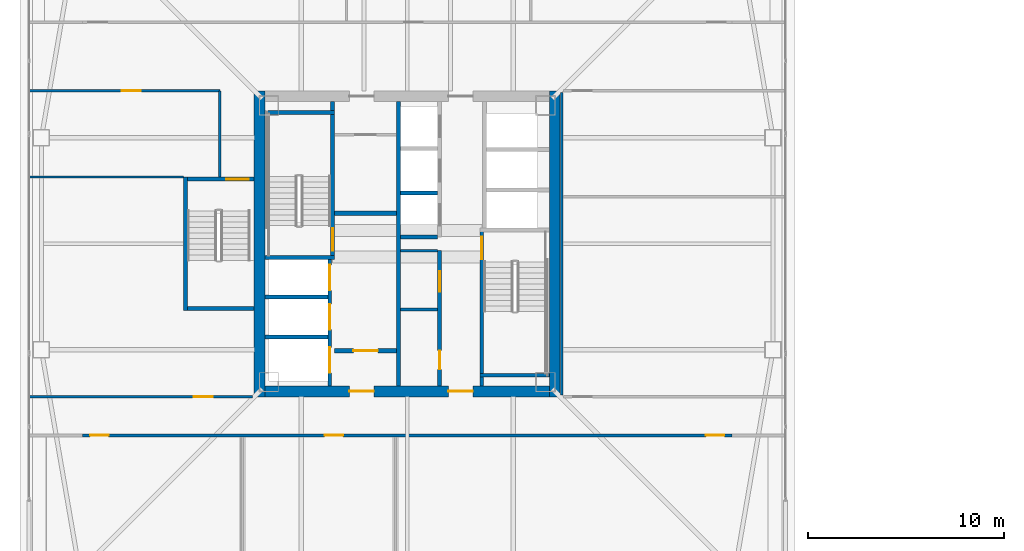
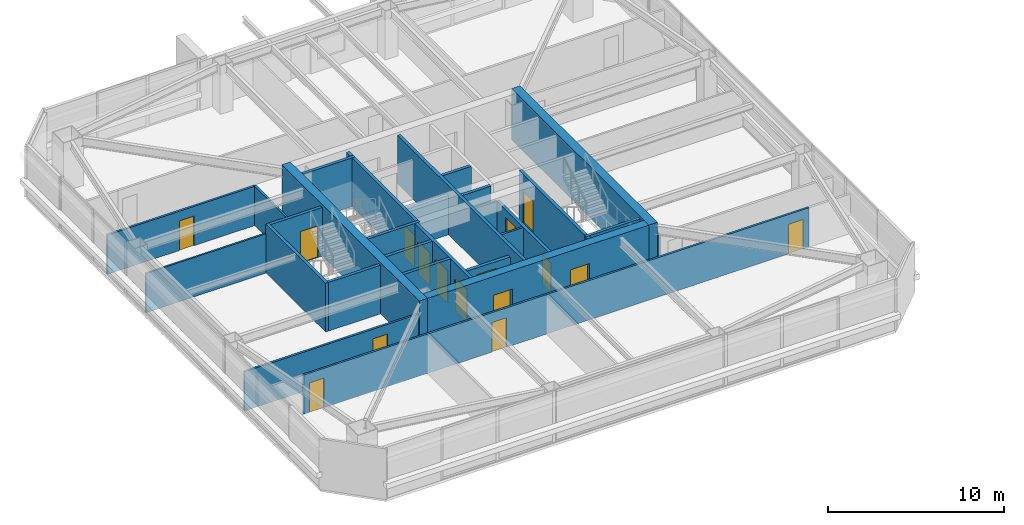
# One storey, part 34 of 44: 28 walls, 16 doors, 16 openings.
"""IFC4 building model written with IfcOpenShell, lengths in metres."""

from ifc_helpers import new_model, si_unit, direction, frame, frame_2d, origin, place, context, subcontext, project, spatial, rectangle, extrude, material, layer, layer_set, type_object, element, fill, save


model = new_model("IFC4")

# Units and contexts
model_context = context("Model", 3, precision=1e-05, world=origin(), true_north=direction((0.0, 1.0)))
body_context = subcontext(model_context, "Body", "Model", "MODEL_VIEW")
ifc_project = project(units=[si_unit("LENGTHUNIT", "METRE"), si_unit("AREAUNIT", "SQUARE_METRE"), si_unit("VOLUMEUNIT", "CUBIC_METRE"), si_unit("PLANEANGLEUNIT", "RADIAN"), si_unit("MASSUNIT", "GRAM", prefix="KILO")], contexts=[model_context])

# Site, building, storey
site_placement = place(None, origin())
site = spatial("IfcSite", under=ifc_project, at=site_placement, CompositionType="ELEMENT")
building_placement = place(site_placement, origin())
building = spatial("IfcBuilding", under=site, at=building_placement, Name="Tashvorn Skyway Center", CompositionType="ELEMENT")
storey_placement = place(building_placement, frame((0.0, 0.0, 149.89990234375)))
storey = spatial("IfcBuildingStorey", under=building, at=storey_placement, Name="L40", CompositionType="ELEMENT", Elevation=149.89990234375)

# Walls
ifc_material_1 = material(Name="Concrete C60/75", Category="concrete")
ifc_layer_1 = layer(ifc_material_1, 0.550048828125)
ifc_layer_set_1 = layer_set([ifc_layer_1], Name="Concrete C60/75")
wall_type_1 = type_object("IfcWallType", Name="WALL-CORE-550", PredefinedType="SHEAR", material=ifc_layer_set_1)
for number, where, z_axis, x_axis, name in (
    (1, (34.47509765625, 24.199951171875, 0.0), (0.0, 0.0, 1.0), (0.0, 1.0, 0.0), "Tower 1 L40 West Core Shear Wall"),
    (2, (49.52490234375, 39.800048828125, 0.0), (0.0, 0.0, 1.0), (0.0, -1.0, 0.0), "Tower 1 L40 East Core Shear Wall"),
):
    element("IfcWall", number, at=place(storey_placement, frame(where, z_axis=z_axis, x_axis=x_axis)), inside=storey, type_object=wall_type_1, Name=name, PredefinedType="SHEAR", context=body_context, shape_type="SweptSolid", body=[
        extrude(rectangle(XDim=15.60009765625, YDim=0.550048828125, at=frame_2d((7.800048828125, 0.0))), origin(), (0.0, 0.0, 1.0), 3.550048828125),
    ])

# Wall, openings, doors
wall_1_placement = place(storey_placement, frame((49.25, 24.47509765625, 0.0), z_axis=(0.0, 0.0, 1.0), x_axis=(-1.0, 0.0, 0.0)))
wall_1 = element("IfcWall", 3, at=wall_1_placement, inside=storey, type_object=wall_type_1, Name="Tower 1 L40 South Core Shear Wall", PredefinedType="SHEAR", context=body_context, shape_type="SweptSolid", body=[
    extrude(rectangle(XDim=14.5, YDim=0.550048828125, at=frame_2d((7.25, 0.0))), origin(), (0.0, 0.0, 1.0), 3.550048828125),
])
opening_1_placement = place(wall_1_placement, frame((8.949951171875, 0.0, 0.0)))
opening_1 = element("IfcOpeningElement", 4, at=opening_1_placement, cuts=wall_1, Name="Opening D-FFL-1250", PredefinedType="OPENING", context=body_context, shape_type="SweptSolid", body=[
    extrude(rectangle(XDim=1.25, YDim=2.25, at=frame_2d((0.625, 1.125))), frame((0.0, 0.284912109375, 0.0), z_axis=(0.0, -1.0, 0.0), x_axis=(1.0, 0.0, 0.0)), (0.0, 0.0, 1.0), 0.570068359375),
])
opening_2_placement = place(wall_1_placement, frame((3.89990234375, 0.0, 0.0)))
opening_2 = element("IfcOpeningElement", 5, at=opening_2_placement, cuts=wall_1, Name="Opening D-FFL-1250", PredefinedType="OPENING", context=body_context, shape_type="SweptSolid", body=[
    extrude(rectangle(XDim=1.25, YDim=2.25, at=frame_2d((0.625, 1.125))), frame((0.0, 0.284912109375, 0.0), z_axis=(0.0, -1.0, 0.0), x_axis=(1.0, 0.0, 0.0)), (0.0, 0.0, 1.0), 0.570068359375),
])
ifc_material_2 = material(Name="Hollow galvanized steel fire door assembly", Category="steel")
door_type_1 = type_object("IfcDoorType", Name="DOOR-FFL-1250", OperationType="NOTDEFINED", PredefinedType="DOOR", material=ifc_material_2)
door_1_placement = place(opening_1_placement, origin())
door_1 = element("IfcDoor", 6, at=door_1_placement, inside=storey, type_object=door_type_1, Name="Tower 1 L40 Core South Firefighting Exit Door", OperationType="SINGLE_SWING_LEFT", OverallHeight=2.25, OverallWidth=1.25, PredefinedType="DOOR", context=body_context, shape_type="SweptSolid", body=[
    extrude(rectangle(XDim=1.25, YDim=2.25, at=frame_2d((0.625, 1.125))), frame((0.0, 0.02490234375, 0.0), z_axis=(0.0, -1.0, 0.0), x_axis=(1.0, 0.0, 0.0)), (0.0, 0.0, 1.0), 0.050048828125),
])
fill(opening_1, door_1)
door_2_placement = place(opening_2_placement, origin())
door_2 = element("IfcDoor", 7, at=door_2_placement, inside=storey, type_object=door_type_1, Name="Tower 1 L40 Core South Lift Lobby Door", OperationType="SINGLE_SWING_RIGHT", OverallHeight=2.25, OverallWidth=1.25, PredefinedType="DOOR", context=body_context, shape_type="SweptSolid", body=[
    extrude(rectangle(XDim=1.25, YDim=2.25, at=frame_2d((0.625, 1.125))), frame((0.0, 0.02490234375, 0.0), z_axis=(0.0, -1.0, 0.0), x_axis=(1.0, 0.0, 0.0)), (0.0, 0.0, 1.0), 0.050048828125),
])
fill(opening_2, door_2)

# Wall
ifc_material_3 = material(Name="Concrete C40/50", Category="concrete")
ifc_layer_2 = layer(ifc_material_3, 0.219970703125)
ifc_layer_set_2 = layer_set([ifc_layer_2], Name="Concrete C40/50")
wall_type_2 = type_object("IfcWallType", Name="WALL-FFL-220", PredefinedType="SOLIDWALL", material=ifc_layer_set_2)
wall_2_placement = place(storey_placement, frame((38.300048828125, 33.56005859375, 0.0), z_axis=(0.0, 0.0, 1.0), x_axis=(1.0, 0.0, 0.0)))
element("IfcWall", 8, at=wall_2_placement, inside=storey, type_object=wall_type_2, Name="Tower 1 L40 Firefighting Lobby North Wall", PredefinedType="SOLIDWALL", context=body_context, shape_type="SweptSolid", body=[
    extrude(rectangle(XDim=3.14990234375, YDim=0.219970703125, at=frame_2d((1.574951171875, 0.0))), origin(), (0.0, 0.0, 1.0), 2.72314453125),
])

# Wall, opening, door
wall_3_placement = place(storey_placement, frame((38.300048828125, 26.5400390625, 0.0), z_axis=(0.0, 0.0, 1.0), x_axis=(1.0, 0.0, 0.0)))
wall_3 = element("IfcWall", 9, at=wall_3_placement, inside=storey, type_object=wall_type_2, Name="Tower 1 L40 Firefighting Lobby South Wall", PredefinedType="SOLIDWALL", context=body_context, shape_type="SweptSolid", body=[
    extrude(rectangle(XDim=3.14990234375, YDim=0.219970703125, at=frame_2d((1.574951171875, 0.0))), origin(), (0.0, 0.0, 1.0), 2.72314453125),
])
opening_3_placement = place(wall_3_placement, frame((0.949951171875, 0.0, 0.0)))
opening_3 = element("IfcOpeningElement", 10, at=opening_3_placement, cuts=wall_3, Name="Opening D-FFL-1250", PredefinedType="OPENING", context=body_context, shape_type="SweptSolid", body=[
    extrude(rectangle(XDim=1.25, YDim=2.25, at=frame_2d((0.625, 1.125))), frame((0.0, 0.119873046875, 0.0), z_axis=(0.0, -1.0, 0.0), x_axis=(1.0, 0.0, 0.0)), (0.0, 0.0, 1.0), 0.239990234375),
])
door_3_placement = place(opening_3_placement, origin())
door_3 = element("IfcDoor", 11, at=door_3_placement, inside=storey, type_object=door_type_1, Name="Tower 1 L40 Firefighting Lobby Egress Door", OperationType="SINGLE_SWING_LEFT", OverallHeight=2.25, OverallWidth=1.25, PredefinedType="DOOR", context=body_context, shape_type="SweptSolid", body=[
    extrude(rectangle(XDim=1.25, YDim=2.25, at=frame_2d((0.625, 1.125))), frame((0.0, 0.02490234375, 0.0), z_axis=(0.0, -1.0, 0.0), x_axis=(1.0, 0.0, 0.0)), (0.0, 0.0, 1.0), 0.050048828125),
])
fill(opening_3, door_3)

# Walls
ifc_material_4 = material(Name="Gypsum board on cold-formed steel stud framing", Category="steel")
ifc_layer_3 = layer(ifc_material_4, 0.110107421875)
ifc_layer_set_3 = layer_set([ifc_layer_3], Name="Gypsum board on cold-formed steel stud framing")
wall_type_3 = type_object("IfcWallType", Name="WALL-PART-110", PredefinedType="PARTITIONING", material=ifc_layer_set_3)
wall_4_placement = place(storey_placement, frame((30.60009765625, 35.39990234375, 0.0), z_axis=(0.0, 0.0, 1.0), x_axis=(-1.0, 0.0, 0.0)))
element("IfcWall", 12, at=wall_4_placement, inside=storey, type_object=wall_type_3, Name="Tower 1 L40 West Suite Partition 1", PredefinedType="PARTITIONING", context=body_context, shape_type="SweptSolid", body=[
    extrude(rectangle(XDim=7.880126953125, YDim=0.110107421875, at=frame_2d((3.93994140625, 0.0))), origin(), (0.0, 0.0, 1.0), 2.72314453125),
])
ifc_layer_4 = layer(ifc_material_4, 0.135009765625)
ifc_layer_set_4 = layer_set([ifc_layer_4], Name="Gypsum board on cold-formed steel stud framing")
wall_type_4 = type_object("IfcWallType", Name="WALL-PART-135", PredefinedType="PARTITIONING", material=ifc_layer_set_4)
wall_5_placement = place(storey_placement, frame((32.449951171875, 35.39990234375, 0.0), z_axis=(0.0, 0.0, 1.0), x_axis=(0.0, 1.0, 0.0)))
element("IfcWall", 13, at=wall_5_placement, inside=storey, type_object=wall_type_4, Name="Tower 1 L40 Stair 3 Access Corridor Wall", PredefinedType="PARTITIONING", context=body_context, shape_type="SweptSolid", body=[
    extrude(rectangle(XDim=4.400146484375, YDim=0.135009765625, at=frame_2d((2.2001953125, 0.0))), origin(), (0.0, 0.0, 1.0), 2.72314453125),
])

# Wall, openings, doors
wall_6_placement = place(storey_placement, frame((58.550048828125, 22.22998046875, 0.0), z_axis=(0.0, 0.0, 1.0), x_axis=(-1.0, 0.0, 0.0)))
wall_6 = element("IfcWall", 14, at=wall_6_placement, inside=storey, type_object=wall_type_4, Name="Tower 1 L40 South Suite Wall", PredefinedType="PARTITIONING", context=body_context, shape_type="SweptSolid", body=[
    extrude(rectangle(XDim=33.10009765625, YDim=0.135009765625, at=frame_2d((16.550048828125, 0.0))), origin(), (0.0, 0.0, 1.0), 2.72314453125),
])
opening_4_placement = place(wall_6_placement, frame((31.77001953125, 0.0, 0.0)))
opening_4 = element("IfcOpeningElement", 15, at=opening_4_placement, cuts=wall_6, Name="Opening D-INT-950", PredefinedType="OPENING", context=body_context, shape_type="SweptSolid", body=[
    extrude(rectangle(XDim=0.949951171875, YDim=2.050048828125, at=frame_2d((0.47509765625, 1.02490234375))), frame((0.0, 0.077392578125, 0.0), z_axis=(0.0, -1.0, 0.0), x_axis=(1.0, 0.0, 0.0)), (0.0, 0.0, 1.0), 0.155029296875),
])
opening_5_placement = place(wall_6_placement, frame((19.813720703125, 0.0, 0.0)))
opening_5 = element("IfcOpeningElement", 16, at=opening_5_placement, cuts=wall_6, Name="Opening D-INT-950", PredefinedType="OPENING", context=body_context, shape_type="SweptSolid", body=[
    extrude(rectangle(XDim=0.949951171875, YDim=2.050048828125, at=frame_2d((0.47509765625, 1.02490234375))), frame((0.0, 0.077392578125, 0.0), z_axis=(0.0, -1.0, 0.0), x_axis=(1.0, 0.0, 0.0)), (0.0, 0.0, 1.0), 0.155029296875),
])
opening_6_placement = place(wall_6_placement, frame((0.3798828125, 0.0, 0.0)))
opening_6 = element("IfcOpeningElement", 17, at=opening_6_placement, cuts=wall_6, Name="Opening D-INT-950", PredefinedType="OPENING", context=body_context, shape_type="SweptSolid", body=[
    extrude(rectangle(XDim=0.949951171875, YDim=2.050048828125, at=frame_2d((0.47509765625, 1.02490234375))), frame((0.0, 0.077392578125, 0.0), z_axis=(0.0, -1.0, 0.0), x_axis=(1.0, 0.0, 0.0)), (0.0, 0.0, 1.0), 0.155029296875),
])
ifc_material_5 = material(Name="Solid-core architectural oak veneer door")
door_type_2 = type_object("IfcDoorType", Name="DOOR-INT-950", OperationType="NOTDEFINED", PredefinedType="DOOR", material=ifc_material_5)
door_4_placement = place(opening_4_placement, origin())
door_4 = element("IfcDoor", 18, at=door_4_placement, inside=storey, type_object=door_type_2, Name="Tower 1 L40 Operations Control Room Door", OperationType="SINGLE_SWING_RIGHT", OverallHeight=2.050048828125, OverallWidth=0.949951171875, PredefinedType="DOOR", context=body_context, shape_type="SweptSolid", body=[
    extrude(rectangle(XDim=0.949951171875, YDim=2.050048828125, at=frame_2d((0.47509765625, 1.02490234375))), frame((0.0, 0.02490234375, 0.0), z_axis=(0.0, -1.0, 0.0), x_axis=(1.0, 0.0, 0.0)), (0.0, 0.0, 1.0), 0.050048828125),
])
fill(opening_4, door_4)
door_5_placement = place(opening_5_placement, origin())
door_5 = element("IfcDoor", 19, at=door_5_placement, inside=storey, type_object=door_type_2, Name="Tower 1 L40 Boardroom Door", OperationType="SINGLE_SWING_LEFT", OverallHeight=2.050048828125, OverallWidth=0.949951171875, PredefinedType="DOOR", context=body_context, shape_type="SweptSolid", body=[
    extrude(rectangle(XDim=0.949951171875, YDim=2.050048828125, at=frame_2d((0.47509765625, 1.02490234375))), frame((0.0, 0.02490234375, 0.0), z_axis=(0.0, -1.0, 0.0), x_axis=(1.0, 0.0, 0.0)), (0.0, 0.0, 1.0), 0.050048828125),
])
fill(opening_5, door_5)
door_6_placement = place(opening_6_placement, origin())
door_6 = element("IfcDoor", 20, at=door_6_placement, inside=storey, type_object=door_type_2, Name="Tower 1 L40 Boardroom Door", OperationType="SINGLE_SWING_RIGHT", OverallHeight=2.050048828125, OverallWidth=0.949951171875, PredefinedType="DOOR", context=body_context, shape_type="SweptSolid", body=[
    extrude(rectangle(XDim=0.949951171875, YDim=2.050048828125, at=frame_2d((0.47509765625, 1.02490234375))), frame((0.0, 0.02490234375, 0.0), z_axis=(0.0, -1.0, 0.0), x_axis=(1.0, 0.0, 0.0)), (0.0, 0.0, 1.0), 0.050048828125),
])
fill(opening_6, door_6)

# Wall
wall_7_placement = place(storey_placement, frame((49.8798828125, 39.719970703125, 0.0), z_axis=(0.0, 0.0, 1.0), x_axis=(0.0, -1.0, 0.0)))
element("IfcWall", 21, at=wall_7_placement, inside=storey, type_object=wall_type_4, Name="Tower 1 L40 East Inner Suite Wall", PredefinedType="PARTITIONING", context=body_context, shape_type="SweptSolid", body=[
    extrude(rectangle(XDim=15.43994140625, YDim=0.135009765625, at=frame_2d((7.719970703125, 0.0))), origin(), (0.0, 0.0, 1.0), 2.72314453125),
])

# Wall, opening, door
wall_8_placement = place(storey_placement, frame((32.449951171875, 39.800048828125, 0.0), z_axis=(0.0, 0.0, 1.0), x_axis=(-1.0, 0.0, 0.0)))
wall_8 = element("IfcWall", 22, at=wall_8_placement, inside=storey, type_object=wall_type_4, Name="Tower 1 L40 West Suite North Wall", PredefinedType="PARTITIONING", context=body_context, shape_type="SweptSolid", body=[
    extrude(rectangle(XDim=9.72998046875, YDim=0.135009765625, at=frame_2d((4.864990234375, 0.0))), origin(), (0.0, 0.0, 1.0), 2.72314453125),
])
opening_7_placement = place(wall_8_placement, frame((4.0400390625, 0.0, 0.0)))
opening_7 = element("IfcOpeningElement", 23, at=opening_7_placement, cuts=wall_8, Name="Opening D-INT-950", PredefinedType="OPENING", context=body_context, shape_type="SweptSolid", body=[
    extrude(rectangle(XDim=0.949951171875, YDim=2.050048828125, at=frame_2d((0.47509765625, 1.02490234375))), frame((0.0, 0.077392578125, 0.0), z_axis=(0.0, -1.0, 0.0), x_axis=(1.0, 0.0, 0.0)), (0.0, 0.0, 1.0), 0.155029296875),
])
door_7_placement = place(opening_7_placement, origin())
door_7 = element("IfcDoor", 24, at=door_7_placement, inside=storey, type_object=door_type_2, Name="Tower 1 L40 Boardroom Door", OperationType="SINGLE_SWING_LEFT", OverallHeight=2.050048828125, OverallWidth=0.949951171875, PredefinedType="DOOR", context=body_context, shape_type="SweptSolid", body=[
    extrude(rectangle(XDim=0.949951171875, YDim=2.050048828125, at=frame_2d((0.47509765625, 1.02490234375))), frame((0.0, 0.02490234375, 0.0), z_axis=(0.0, -1.0, 0.0), x_axis=(1.0, 0.0, 0.0)), (0.0, 0.0, 1.0), 0.050048828125),
])
fill(opening_7, door_7)

wall_9_placement = place(storey_placement, frame((22.719970703125, 24.199951171875, 0.0), z_axis=(0.0, 0.0, 1.0), x_axis=(1.0, 0.0, 0.0)))
wall_9 = element("IfcWall", 25, at=wall_9_placement, inside=storey, type_object=wall_type_4, Name="Tower 1 L40 West Suite South Wall", PredefinedType="PARTITIONING", context=body_context, shape_type="SweptSolid", body=[
    extrude(rectangle(XDim=11.400146484375, YDim=0.135009765625, at=frame_2d((5.7001953125, 0.0))), origin(), (0.0, 0.0, 1.0), 2.72314453125),
])
opening_8_placement = place(wall_9_placement, frame((8.405029296875, 0.0, 0.0)))
opening_8 = element("IfcOpeningElement", 26, at=opening_8_placement, cuts=wall_9, Name="Opening D-INT-950", PredefinedType="OPENING", context=body_context, shape_type="SweptSolid", body=[
    extrude(rectangle(XDim=0.949951171875, YDim=2.050048828125, at=frame_2d((0.47509765625, 1.02490234375))), frame((0.0, 0.077392578125, 0.0), z_axis=(0.0, -1.0, 0.0), x_axis=(1.0, 0.0, 0.0)), (0.0, 0.0, 1.0), 0.155029296875),
])
door_8_placement = place(opening_8_placement, origin())
door_8 = element("IfcDoor", 27, at=door_8_placement, inside=storey, type_object=door_type_2, Name="Tower 1 L40 Public Restroom Door", OperationType="SINGLE_SWING_RIGHT", OverallHeight=2.050048828125, OverallWidth=0.949951171875, PredefinedType="DOOR", context=body_context, shape_type="SweptSolid", body=[
    extrude(rectangle(XDim=0.949951171875, YDim=2.050048828125, at=frame_2d((0.47509765625, 1.02490234375))), frame((0.0, 0.02490234375, 0.0), z_axis=(0.0, -1.0, 0.0), x_axis=(1.0, 0.0, 0.0)), (0.0, 0.0, 1.0), 0.050048828125),
])
fill(opening_8, door_8)

# Walls
ifc_layer_5 = layer(ifc_material_4, 0.135009765625)
ifc_layer_set_5 = layer_set([ifc_layer_5], Name="Gypsum board on cold-formed steel stud framing")
wall_type_5 = type_object("IfcWallType", Name="WALL-RATED-135", PredefinedType="PARTITIONING", material=ifc_layer_set_5)
for number, where, z_axis, x_axis, name in (
    (28, (41.669921875, 31.64990234375, 0.0), (0.0, 0.0, 1.0), (1.0, 0.0, 0.0), "Tower 1 L40 Core Room Partition"),
    (29, (41.669921875, 28.64990234375, 0.0), (0.0, 0.0, 1.0), (1.0, 0.0, 0.0), "Tower 1 L40 Freed Core Partition"),
):
    element("IfcWall", number, at=place(storey_placement, frame(where, z_axis=z_axis, x_axis=x_axis)), inside=storey, type_object=wall_type_5, Name=name, PredefinedType="PARTITIONING", context=body_context, shape_type="SweptSolid", body=[
        extrude(rectangle(XDim=1.880126953125, YDim=0.135009765625, at=frame_2d((0.93994140625, 0.0))), origin(), (0.0, 0.0, 1.0), 2.72314453125),
    ])
ifc_layer_6 = layer(ifc_material_3, 0.199951171875)
ifc_layer_set_6 = layer_set([ifc_layer_6], Name="Concrete C40/50")
wall_type_6 = type_object("IfcWallType", Name="WALL-SHAFT-200", PredefinedType="SOLIDWALL", material=ifc_layer_set_6)
for number, where, z_axis, x_axis, name in (
    (30, (34.75, 27.25, 0.0), (0.0, 0.0, 1.0), (1.0, 0.0, 0.0), "Tower 1 L40 FSAE Shaft Divider"),
    (31, (34.75, 29.280029296875, 0.0), (0.0, 0.0, 1.0), (1.0, 0.0, 0.0), "Tower 1 L40 FSAE Shaft Divider"),
):
    element("IfcWall", number, at=place(storey_placement, frame(where, z_axis=z_axis, x_axis=x_axis)), inside=storey, type_object=wall_type_6, Name=name, PredefinedType="SOLIDWALL", context=body_context, shape_type="SweptSolid", body=[
        extrude(rectangle(XDim=3.199951171875, YDim=0.199951171875, at=frame_2d((1.60009765625, 0.0))), origin(), (0.0, 0.0, 1.0), 3.3701171875),
    ])

# Wall, openings, doors
wall_10_placement = place(storey_placement, frame((43.64990234375, 24.75, 0.0), z_axis=(0.0, 0.0, 1.0), x_axis=(0.0, 1.0, 0.0)))
wall_10 = element("IfcWall", 32, at=wall_10_placement, inside=storey, type_object=wall_type_6, Name="Tower 1 L40 Low-Rise Core Wall", PredefinedType="SOLIDWALL", context=body_context, shape_type="SweptSolid", body=[
    extrude(rectangle(XDim=6.89990234375, YDim=0.199951171875, at=frame_2d((3.449951171875, 0.0))), origin(), (0.0, 0.0, 1.0), 2.72314453125),
])
opening_9_placement = place(wall_10_placement, frame((0.85009765625, 0.0, 0.0)))
opening_9 = element("IfcOpeningElement", 33, at=opening_9_placement, cuts=wall_10, Name="Opening D-RT-950", PredefinedType="OPENING", context=body_context, shape_type="SweptSolid", body=[
    extrude(rectangle(XDim=0.949951171875, YDim=2.050048828125, at=frame_2d((0.47509765625, 1.02490234375))), frame((0.0, 0.10986328125, 0.0), z_axis=(0.0, -1.0, 0.0), x_axis=(1.0, 0.0, 0.0)), (0.0, 0.0, 1.0), 0.219970703125),
])
opening_10_placement = place(wall_10_placement, frame((4.800048828125, 0.0, 0.0)))
opening_10 = element("IfcOpeningElement", 34, at=opening_10_placement, cuts=wall_10, Name="Opening D-RT-1050", PredefinedType="OPENING", context=body_context, shape_type="SweptSolid", body=[
    extrude(rectangle(XDim=1.050048828125, YDim=2.199951171875, at=frame_2d((0.52490234375, 1.10009765625))), frame((0.0, 0.10986328125, 0.0), z_axis=(0.0, -1.0, 0.0), x_axis=(1.0, 0.0, 0.0)), (0.0, 0.0, 1.0), 0.219970703125),
])
door_type_3 = type_object("IfcDoorType", Name="DOOR-RATED-1050", OperationType="NOTDEFINED", PredefinedType="DOOR", material=ifc_material_2)
door_9_placement = place(opening_10_placement, origin())
door_9 = element("IfcDoor", 35, at=door_9_placement, inside=storey, type_object=door_type_3, Name="Tower 1 L40 Freed Core Room Door", OperationType="SINGLE_SWING_RIGHT", OverallHeight=2.199951171875, OverallWidth=1.050048828125, PredefinedType="DOOR", context=body_context, shape_type="SweptSolid", body=[
    extrude(rectangle(XDim=1.050048828125, YDim=2.199951171875, at=frame_2d((0.52490234375, 1.10009765625))), frame((0.0, 0.02490234375, 0.0), z_axis=(0.0, -1.0, 0.0), x_axis=(1.0, 0.0, 0.0)), (0.0, 0.0, 1.0), 0.050048828125),
])
fill(opening_10, door_9)
door_type_4 = type_object("IfcDoorType", Name="DOOR-RATED-950", OperationType="NOTDEFINED", PredefinedType="DOOR", material=ifc_material_2)
door_10_placement = place(opening_9_placement, origin())
door_10 = element("IfcDoor", 36, at=door_10_placement, inside=storey, type_object=door_type_4, Name="Tower 1 L40 Core Print Room Door", OperationType="SINGLE_SWING_LEFT", OverallHeight=2.050048828125, OverallWidth=0.949951171875, PredefinedType="DOOR", context=body_context, shape_type="SweptSolid", body=[
    extrude(rectangle(XDim=0.949951171875, YDim=2.050048828125, at=frame_2d((0.47509765625, 1.02490234375))), frame((0.0, 0.02490234375, 0.0), z_axis=(0.0, -1.0, 0.0), x_axis=(1.0, 0.0, 0.0)), (0.0, 0.0, 1.0), 0.050048828125),
])
fill(opening_9, door_10)

# Walls
for number, where, z_axis, x_axis, name in (
    (37, (41.669921875, 32.35009765625, 0.0), (0.0, 0.0, 1.0), (1.0, 0.0, 0.0), "Tower 1 L40 Mid-Rise Shaft Divider"),
    (38, (41.669921875, 34.60009765625, 0.0), (0.0, 0.0, 1.0), (1.0, 0.0, 0.0), "Tower 1 L40 Mid-Rise Shaft Divider"),
):
    element("IfcWall", number, at=place(storey_placement, frame(where, z_axis=z_axis, x_axis=x_axis)), inside=storey, type_object=wall_type_6, Name=name, PredefinedType="SOLIDWALL", context=body_context, shape_type="SweptSolid", body=[
        extrude(rectangle(XDim=1.880126953125, YDim=0.199951171875, at=frame_2d((0.93994140625, 0.0))), origin(), (0.0, 0.0, 1.0), 3.3701171875),
    ])

# Wall, opening, door
ifc_layer_7 = layer(ifc_material_3, 0.199951171875)
ifc_layer_set_7 = layer_set([ifc_layer_7], Name="Concrete C40/50")
wall_type_7 = type_object("IfcWallType", Name="WALL-STSHF-200", PredefinedType="SHEAR", material=ifc_layer_set_7)
wall_11_placement = place(storey_placement, frame((38.199951171875, 31.199951171875, 0.0), z_axis=(0.0, 0.0, 1.0), x_axis=(0.0, 1.0, 0.0)))
wall_11 = element("IfcWall", 39, at=wall_11_placement, inside=storey, type_object=wall_type_7, Name="Tower 1 L40 Stair 1 Enclosure Wall", PredefinedType="SHEAR", context=body_context, shape_type="SweptSolid", body=[
    extrude(rectangle(XDim=8.050048828125, YDim=0.199951171875, at=frame_2d((4.02490234375, 0.0))), origin(), (0.0, 0.0, 1.0), 3.3701171875),
])
opening_11_placement = place(wall_11_placement, frame((0.449951171875, 0.0, 0.0)))
opening_11 = element("IfcOpeningElement", 40, at=opening_11_placement, cuts=wall_11, Name="Opening D-ST-1150", PredefinedType="OPENING", context=body_context, shape_type="SweptSolid", body=[
    extrude(rectangle(XDim=1.14990234375, YDim=2.199951171875, at=frame_2d((0.574951171875, 1.10009765625))), frame((0.0, 0.10986328125, 0.0), z_axis=(0.0, -1.0, 0.0), x_axis=(1.0, 0.0, 0.0)), (0.0, 0.0, 1.0), 0.219970703125),
])
door_type_5 = type_object("IfcDoorType", Name="DOOR-STAIR-1150", OperationType="NOTDEFINED", PredefinedType="DOOR", material=ifc_material_2)
door_11_placement = place(opening_11_placement, origin())
door_11 = element("IfcDoor", 41, at=door_11_placement, inside=storey, type_object=door_type_5, Name="Tower 1 L40 Exit Stair 1 Door", OperationType="SINGLE_SWING_RIGHT", OverallHeight=2.199951171875, OverallWidth=1.14990234375, PredefinedType="DOOR", context=body_context, shape_type="SweptSolid", body=[
    extrude(rectangle(XDim=1.14990234375, YDim=2.199951171875, at=frame_2d((0.574951171875, 1.10009765625))), frame((0.0, 0.02490234375, 0.0), z_axis=(0.0, -1.0, 0.0), x_axis=(1.0, 0.0, 0.0)), (0.0, 0.0, 1.0), 0.050048828125),
])
fill(opening_11, door_11)

# Walls
for number, where, z_axis, x_axis, name in (
    (42, (34.75, 31.300048828125, 0.0), (0.0, 0.0, 1.0), (1.0, 0.0, 0.0), "Tower 1 L40 Stair 1 South Wall"),
    (43, (34.75, 38.699951171875, 0.0), (0.0, 0.0, 1.0), (1.0, 0.0, 0.0), "Tower 1 L40 Stair 1 North Wall"),
):
    element("IfcWall", number, at=place(storey_placement, frame(where, z_axis=z_axis, x_axis=x_axis)), inside=storey, type_object=wall_type_7, Name=name, PredefinedType="SHEAR", context=body_context, shape_type="SweptSolid", body=[
        extrude(rectangle(XDim=3.550048828125, YDim=0.199951171875, at=frame_2d((1.77490234375, 0.0))), origin(), (0.0, 0.0, 1.0), 3.3701171875),
    ])

# Wall, opening, door
wall_12_placement = place(storey_placement, frame((45.800048828125, 32.800048828125, 0.0), z_axis=(0.0, 0.0, 1.0), x_axis=(0.0, -1.0, 0.0)))
wall_12 = element("IfcWall", 44, at=wall_12_placement, inside=storey, type_object=wall_type_7, Name="Tower 1 L40 Stair 2 Enclosure Wall", PredefinedType="SHEAR", context=body_context, shape_type="SweptSolid", body=[
    extrude(rectangle(XDim=8.050048828125, YDim=0.199951171875, at=frame_2d((4.02490234375, 0.0))), origin(), (0.0, 0.0, 1.0), 3.3701171875),
])
opening_12_placement = place(wall_12_placement, frame((0.449951171875, 0.0, 0.0)))
opening_12 = element("IfcOpeningElement", 45, at=opening_12_placement, cuts=wall_12, Name="Opening D-ST-1150", PredefinedType="OPENING", context=body_context, shape_type="SweptSolid", body=[
    extrude(rectangle(XDim=1.14990234375, YDim=2.199951171875, at=frame_2d((0.574951171875, 1.10009765625))), frame((0.0, 0.10986328125, 0.0), z_axis=(0.0, -1.0, 0.0), x_axis=(1.0, 0.0, 0.0)), (0.0, 0.0, 1.0), 0.219970703125),
])
door_12_placement = place(opening_12_placement, origin())
door_12 = element("IfcDoor", 46, at=door_12_placement, inside=storey, type_object=door_type_5, Name="Tower 1 L40 Exit Stair 2 Door", OperationType="SINGLE_SWING_RIGHT", OverallHeight=2.199951171875, OverallWidth=1.14990234375, PredefinedType="DOOR", context=body_context, shape_type="SweptSolid", body=[
    extrude(rectangle(XDim=1.14990234375, YDim=2.199951171875, at=frame_2d((0.574951171875, 1.10009765625))), frame((0.0, 0.02490234375, 0.0), z_axis=(0.0, -1.0, 0.0), x_axis=(1.0, 0.0, 0.0)), (0.0, 0.0, 1.0), 0.050048828125),
])
fill(opening_12, door_12)

# Walls
wall_13_placement = place(storey_placement, frame((45.699951171875, 25.300048828125, 0.0), z_axis=(0.0, 0.0, 1.0), x_axis=(1.0, 0.0, 0.0)))
element("IfcWall", 47, at=wall_13_placement, inside=storey, type_object=wall_type_7, Name="Tower 1 L40 Stair 2 South Wall", PredefinedType="SHEAR", context=body_context, shape_type="SweptSolid", body=[
    extrude(rectangle(XDim=3.550048828125, YDim=0.199951171875, at=frame_2d((1.77490234375, 0.0))), origin(), (0.0, 0.0, 1.0), 3.3701171875),
])
wall_14_placement = place(storey_placement, frame((41.56005859375, 24.75, 0.0), z_axis=(0.0, 0.0, 1.0), x_axis=(0.0, 1.0, 0.0)))
element("IfcWall", 48, at=wall_14_placement, inside=storey, type_object=wall_type_7, Name="Tower 1 L40 Firefighting Lobby East Smoke Barrier", PredefinedType="SHEAR", context=body_context, shape_type="SweptSolid", body=[
    extrude(rectangle(XDim=14.5, YDim=0.199951171875, at=frame_2d((7.25, 0.0))), origin(), (0.0, 0.0, 1.0), 3.3701171875),
])

# Wall, openings, doors
wall_15_placement = place(storey_placement, frame((38.050048828125, 24.75, 0.0), z_axis=(0.0, 0.0, 1.0), x_axis=(0.0, 1.0, 0.0)))
wall_15 = element("IfcWall", 49, at=wall_15_placement, inside=storey, type_object=wall_type_7, Name="Tower 1 L40 FSAE and Goods Shaft Front Wall", PredefinedType="SHEAR", context=body_context, shape_type="SweptSolid", body=[
    extrude(rectangle(XDim=6.449951171875, YDim=0.199951171875, at=frame_2d((3.22509765625, 0.0))), origin(), (0.0, 0.0, 1.0), 3.3701171875),
])
opening_13_placement = place(wall_15_placement, frame((4.875, 0.0, 0.0)))
opening_13 = element("IfcOpeningElement", 50, at=opening_13_placement, cuts=wall_15, Name="Opening LD-FF-T1-1-L40", PredefinedType="OPENING", context=body_context, shape_type="SweptSolid", body=[
    extrude(rectangle(XDim=1.300048828125, YDim=2.25, at=frame_2d((0.64990234375, 1.125))), frame((0.0, 0.10986328125, 0.0), z_axis=(0.0, -1.0, 0.0), x_axis=(1.0, 0.0, 0.0)), (0.0, 0.0, 1.0), 0.219970703125),
])
opening_14_placement = place(wall_15_placement, frame((2.875, 0.0, 0.0)))
opening_14 = element("IfcOpeningElement", 51, at=opening_14_placement, cuts=wall_15, Name="Opening LD-FF-T1-2-L40", PredefinedType="OPENING", context=body_context, shape_type="SweptSolid", body=[
    extrude(rectangle(XDim=1.300048828125, YDim=2.25, at=frame_2d((0.64990234375, 1.125))), frame((0.0, 0.10986328125, 0.0), z_axis=(0.0, -1.0, 0.0), x_axis=(1.0, 0.0, 0.0)), (0.0, 0.0, 1.0), 0.219970703125),
])
opening_15_placement = place(wall_15_placement, frame((0.675048828125, 0.0, 0.0)))
opening_15 = element("IfcOpeningElement", 52, at=opening_15_placement, cuts=wall_15, Name="Opening LD-GD-T1-1-L40", PredefinedType="OPENING", context=body_context, shape_type="SweptSolid", body=[
    extrude(rectangle(XDim=1.300048828125, YDim=2.25, at=frame_2d((0.64990234375, 1.125))), frame((0.0, 0.10986328125, 0.0), z_axis=(0.0, -1.0, 0.0), x_axis=(1.0, 0.0, 0.0)), (0.0, 0.0, 1.0), 0.219970703125),
])
ifc_material_6 = material(Name="Stainless steel heavy-duty landing door", Category="steel")
door_type_6 = type_object("IfcDoorType", Name="DOOR-LIFT-1300", OperationType="SLIDING_TO_LEFT", PredefinedType="DOOR", material=ifc_material_6)
door_13_placement = place(opening_13_placement, origin())
door_13 = element("IfcDoor", 53, at=door_13_placement, inside=storey, type_object=door_type_6, Name="Lift FF-T1-1 L40 Landing Door", OperationType="SLIDING_TO_LEFT", OverallHeight=2.25, OverallWidth=1.300048828125, PredefinedType="DOOR", context=body_context, shape_type="SweptSolid", body=[
    extrude(rectangle(XDim=1.300048828125, YDim=2.25, at=frame_2d((0.64990234375, 1.125))), frame((0.0, 0.02490234375, 0.0), z_axis=(0.0, -1.0, 0.0), x_axis=(1.0, 0.0, 0.0)), (0.0, 0.0, 1.0), 0.050048828125),
])
fill(opening_13, door_13)
door_14_placement = place(opening_14_placement, origin())
door_14 = element("IfcDoor", 54, at=door_14_placement, inside=storey, type_object=door_type_6, Name="Lift FF-T1-2 L40 Landing Door", OperationType="SLIDING_TO_LEFT", OverallHeight=2.25, OverallWidth=1.300048828125, PredefinedType="DOOR", context=body_context, shape_type="SweptSolid", body=[
    extrude(rectangle(XDim=1.300048828125, YDim=2.25, at=frame_2d((0.64990234375, 1.125))), frame((0.0, 0.02490234375, 0.0), z_axis=(0.0, -1.0, 0.0), x_axis=(1.0, 0.0, 0.0)), (0.0, 0.0, 1.0), 0.050048828125),
])
fill(opening_14, door_14)
door_15_placement = place(opening_15_placement, origin())
door_15 = element("IfcDoor", 55, at=door_15_placement, inside=storey, type_object=door_type_6, Name="Lift GD-T1-1 L40 Landing Door", OperationType="SLIDING_TO_LEFT", OverallHeight=2.25, OverallWidth=1.300048828125, PredefinedType="DOOR", context=body_context, shape_type="SweptSolid", body=[
    extrude(rectangle(XDim=1.300048828125, YDim=2.25, at=frame_2d((0.64990234375, 1.125))), frame((0.0, 0.02490234375, 0.0), z_axis=(0.0, -1.0, 0.0), x_axis=(1.0, 0.0, 0.0)), (0.0, 0.0, 1.0), 0.050048828125),
])
fill(opening_15, door_15)

# Wall
wall_16_placement = place(storey_placement, frame((30.699951171875, 28.60009765625, 0.0), z_axis=(0.0, 0.0, 1.0), x_axis=(0.0, 1.0, 0.0)))
element("IfcWall", 56, at=wall_16_placement, inside=storey, type_object=wall_type_7, Name="Tower 1 L40 Stair 3 Outer Wall", PredefinedType="SHEAR", context=body_context, shape_type="SweptSolid", body=[
    extrude(rectangle(XDim=6.7998046875, YDim=0.199951171875, at=frame_2d((3.39990234375, 0.0))), origin(), (0.0, 0.0, 1.0), 3.3701171875),
])

# Wall, opening, door
wall_17_placement = place(storey_placement, frame((34.199951171875, 35.300048828125, 0.0), z_axis=(0.0, 0.0, 1.0), x_axis=(-1.0, 0.0, 0.0)))
wall_17 = element("IfcWall", 57, at=wall_17_placement, inside=storey, type_object=wall_type_7, Name="Tower 1 L40 Stair 3 Enclosure Wall", PredefinedType="SHEAR", context=body_context, shape_type="SweptSolid", body=[
    extrude(rectangle(XDim=3.39990234375, YDim=0.199951171875, at=frame_2d((1.699951171875, 0.0))), origin(), (0.0, 0.0, 1.0), 3.3701171875),
])
opening_16_placement = place(wall_17_placement, frame((0.27490234375, 0.0, 0.0)))
opening_16 = element("IfcOpeningElement", 58, at=opening_16_placement, cuts=wall_17, Name="Opening D-ST-1150", PredefinedType="OPENING", context=body_context, shape_type="SweptSolid", body=[
    extrude(rectangle(XDim=1.14990234375, YDim=2.199951171875, at=frame_2d((0.574951171875, 1.10009765625))), frame((0.0, 0.10986328125, 0.0), z_axis=(0.0, -1.0, 0.0), x_axis=(1.0, 0.0, 0.0)), (0.0, 0.0, 1.0), 0.219970703125),
])
door_16_placement = place(opening_16_placement, origin())
door_16 = element("IfcDoor", 59, at=door_16_placement, inside=storey, type_object=door_type_5, Name="Tower 1 L40 Exit Stair 3 Door", OperationType="SINGLE_SWING_RIGHT", OverallHeight=2.199951171875, OverallWidth=1.14990234375, PredefinedType="DOOR", context=body_context, shape_type="SweptSolid", body=[
    extrude(rectangle(XDim=1.14990234375, YDim=2.199951171875, at=frame_2d((0.574951171875, 1.10009765625))), frame((0.0, 0.02490234375, 0.0), z_axis=(0.0, -1.0, 0.0), x_axis=(1.0, 0.0, 0.0)), (0.0, 0.0, 1.0), 0.050048828125),
])
fill(opening_16, door_16)

# Wall
wall_18_placement = place(storey_placement, frame((30.800048828125, 28.699951171875, 0.0), z_axis=(0.0, 0.0, 1.0), x_axis=(1.0, 0.0, 0.0)))
element("IfcWall", 60, at=wall_18_placement, inside=storey, type_object=wall_type_7, Name="Tower 1 L40 Stair 3 South Wall", PredefinedType="SHEAR", context=body_context, shape_type="SweptSolid", body=[
    extrude(rectangle(XDim=3.39990234375, YDim=0.199951171875, at=frame_2d((1.699951171875, 0.0))), origin(), (0.0, 0.0, 1.0), 3.3701171875),
])

save(model, "model.ifc")
